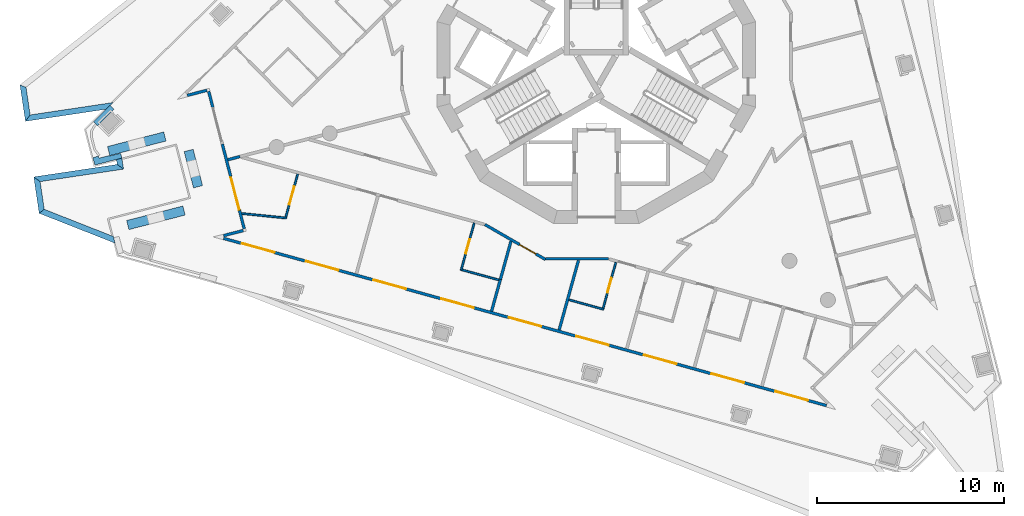
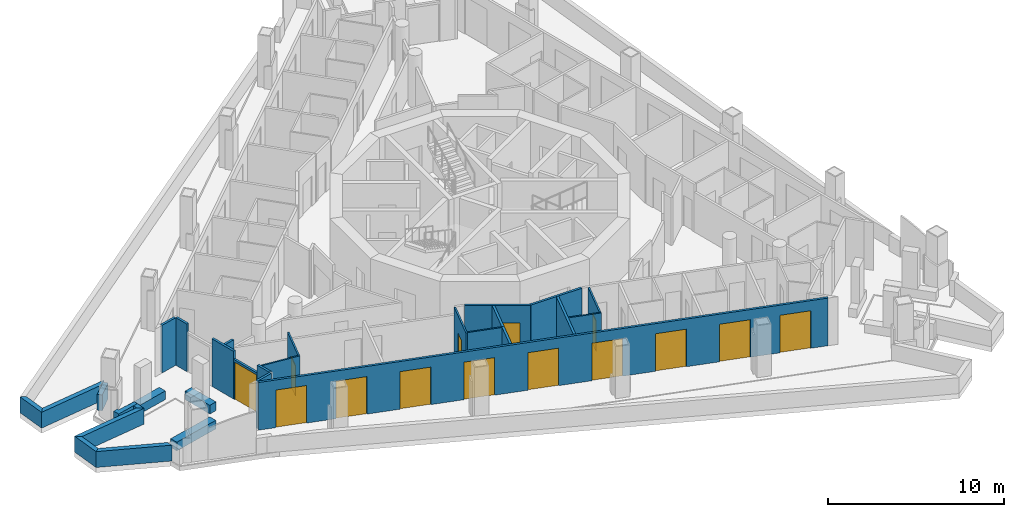
# One storey, part 2 of 14: 30 walls, 14 doors, 14 openings.
"""IFC4 building model written with IfcOpenShell, lengths in metres."""

import ifcopenshell
import ifcopenshell.guid

model = None  # the IFC model being written
_history = None  # IfcOwnerHistory: only IFC2X3 demands one
_inside = {}  # id of a spatial element -> (the spatial element, [elements in it])
_under = {}  # id of a project, library or spatial element -> (it, [spatial elements below it])
_declared = {}  # id of a project -> (the project, [libraries it declares])
_typed = {}  # id of a type object -> (the type object, [elements of that type])
_made_of = {}  # id of a material, layer set ... -> (it, [elements and type objects made of it])


def new_model(schema):
    """Start an empty IFC model of exactly this schema.

    Asked for "IFC4X3", IfcOpenShell would pick the latest addendum, in which some entities
    have other attributes; the version numbers below select the first issue.
    IFC2X3 requires an IfcOwnerHistory on every rooted entity: one is made here for all.
    """
    global model, _history
    if schema == "IFC4X3":
        model = ifcopenshell.file(schema_version=(4, 3, 0, 0))
    else:
        model = ifcopenshell.file(schema=schema)
    _inside.clear()
    _under.clear()
    _declared.clear()
    _typed.clear()
    _made_of.clear()
    _history = None
    if model.schema == "IFC2X3":
        org = make("IfcOrganization", Name="unknown")
        user = make(
            "IfcPersonAndOrganization",
            ThePerson=make("IfcPerson", FamilyName="unknown"),
            TheOrganization=org,
        )
        app = make(
            "IfcApplication",
            ApplicationDeveloper=org,
            Version="unknown",
            ApplicationFullName="unknown",
            ApplicationIdentifier="unknown",
        )
        _history = make(
            "IfcOwnerHistory",
            OwningUser=user,
            OwningApplication=app,
            ChangeAction="ADDED",
            CreationDate=0,
        )
    return model


def make(cls, **values):
    """One entity of the class cls with the attributes given. An attribute that is None is left unset."""
    return model.create_entity(
        cls, **{name: value for name, value in values.items() if value is not None}
    )


def rooted(cls, **values):
    """An entity with a GlobalId (a new one), such as an element, a storey or a relation."""
    return make(cls, GlobalId=ifcopenshell.guid.new(), OwnerHistory=_history, **values)


def si_unit(unit_type, name, prefix=None):
    """IfcSIUnit, for example si_unit("LENGTHUNIT", "METRE", prefix="MILLI")."""
    return make("IfcSIUnit", UnitType=unit_type, Prefix=prefix, Name=name)


def assignment(units):
    """IfcUnitAssignment: the units of a project."""
    return None if units is None else make("IfcUnitAssignment", Units=units)


def point(xyz):
    """IfcCartesianPoint."""
    return None if xyz is None else make("IfcCartesianPoint", Coordinates=xyz)


def direction(xyz):
    """IfcDirection."""
    return None if xyz is None else make("IfcDirection", DirectionRatios=xyz)


def frame(location, z_axis=None, x_axis=None):
    """IfcAxis2Placement3D, a coordinate frame: its origin and axes. An axis left out is left unset."""
    return make(
        "IfcAxis2Placement3D",
        Location=point(location),
        Axis=direction(z_axis),
        RefDirection=direction(x_axis),
    )


def frame_2d(location, x_axis=None):
    """IfcAxis2Placement2D, a coordinate frame in the plane: its origin and x axis."""
    return make(
        "IfcAxis2Placement2D", Location=point(location), RefDirection=direction(x_axis)
    )


def origin():
    """The frame at (0, 0, 0) with its axes left unset."""
    return frame((0.0, 0.0, 0.0))


def place(relative_to, where):
    """IfcLocalPlacement: puts the frame where relative to a parent placement (None: the world)."""
    return make(
        "IfcLocalPlacement", PlacementRelTo=relative_to, RelativePlacement=where
    )


def context(
    kind, dimensions, precision=None, world=None, true_north=None, identifier=None
):
    """IfcGeometricRepresentationContext, for example the 3D "Model" context."""
    return make(
        "IfcGeometricRepresentationContext",
        ContextIdentifier=identifier,
        ContextType=kind,
        CoordinateSpaceDimension=dimensions,
        Precision=precision,
        WorldCoordinateSystem=world,
        TrueNorth=true_north,
    )


def subcontext(parent, identifier, kind, view, scale=None):
    """IfcGeometricRepresentationSubContext, for example "Body" below "Model"."""
    return make(
        "IfcGeometricRepresentationSubContext",
        ContextIdentifier=identifier,
        ContextType=kind,
        ParentContext=parent,
        TargetScale=scale,
        TargetView=view,
    )


def project(units=None, contexts=None):
    """IfcProject with its units and contexts."""
    return rooted(
        "IfcProject",
        Name="project",
        RepresentationContexts=contexts,
        UnitsInContext=assignment(units),
    )


def spatial(cls, under=None, at=None, **own):
    """A site, building, storey or space (cls), placed at a placement, below another one or the project."""
    s = rooted(cls, ObjectPlacement=at, **own)
    if under is not None:
        _under.setdefault(under.id(), (under, []))[1].append(s)
    return s


def polyline(points):
    """IfcPolyline through the points."""
    return make("IfcPolyline", Points=[point(p) for p in points])


def profile(cls, at=None, kind="AREA", **sizes):
    """A parametric profile (cls). Its sizes go by their IFC names, for example OverallWidth=200.0."""
    return make(cls, ProfileType=kind, Position=at, **sizes)


def rectangle(**sizes):
    """IfcRectangleProfileDef."""
    return profile("IfcRectangleProfileDef", **sizes)


def outline(outer, holes=None, kind="AREA"):
    """IfcArbitraryClosedProfileDef: a profile drawn as a closed curve; with holes, ...WithVoids."""
    if holes is None:
        return make("IfcArbitraryClosedProfileDef", ProfileType=kind, OuterCurve=outer)
    return make(
        "IfcArbitraryProfileDefWithVoids",
        ProfileType=kind,
        OuterCurve=outer,
        InnerCurves=holes,
    )


def extrude(swept, where, along, depth):
    """IfcExtrudedAreaSolid: the profile swept, set in the frame where, extruded along a direction by depth."""
    return make(
        "IfcExtrudedAreaSolid",
        SweptArea=swept,
        Position=where,
        ExtrudedDirection=direction(along),
        Depth=depth,
    )


def shape(context_of_items, identifier, shape_type, items):
    """IfcShapeRepresentation: the items that make up one representation, for example the "Body"."""
    return make(
        "IfcShapeRepresentation",
        ContextOfItems=context_of_items,
        RepresentationIdentifier=identifier,
        RepresentationType=shape_type,
        Items=items,
    )


def material(Name=None, Category=None):
    """IfcMaterial."""
    return make("IfcMaterial", Name=Name, Category=Category)


def layer(
    of_material, thickness, ventilated=None, Name=None, Category=None, Priority=None
):
    """IfcMaterialLayer: one layer of a wall or slab, of a material (None: an air gap)."""
    return make(
        "IfcMaterialLayer",
        Material=of_material,
        LayerThickness=thickness,
        IsVentilated=ventilated,
        Name=Name,
        Category=Category,
        Priority=Priority,
    )


def layer_set(layers, Name=None):
    """IfcMaterialLayerSet."""
    return make("IfcMaterialLayerSet", MaterialLayers=layers, LayerSetName=Name)


def made_of(thing, what):
    """Note that an element or type object is made of a material, layer set ...; save() writes the relation."""
    if what is not None:
        _made_of.setdefault(what.id(), (what, []))[1].append(thing)
    return thing


def type_object(cls, material=None, **own):
    """A type object (cls), such as IfcWallType, which elements share."""
    return made_of(rooted(cls, **own), material)


def element(
    cls,
    number,
    at=None,
    inside=None,
    cuts=None,
    type_object=None,
    material=None,
    context=None,
    identifier="Body",
    shape_type=None,
    held_by="IfcProductDefinitionShape",
    body=None,
    shapes=None,
    **own,
):
    """One element of the class cls, such as IfcWall. Its Tag is "e" and its number.

    at: its placement. inside: the storey or other place that contains it. cuts: it is an
    opening in that element (IfcRelVoidsElement). A single representation is given by context,
    identifier, shape_type and body (its items); several are given by shapes. held_by: the class
    of the entity that holds the representations. save() writes the other relations.
    """
    e = rooted(cls, Tag="e%d" % number, ObjectPlacement=at, **own)
    if body is not None:
        shapes = [shape(context, identifier, shape_type, body)]
    if shapes is not None:
        e.Representation = make(held_by, Representations=shapes)
    if inside is not None:
        _inside.setdefault(inside.id(), (inside, []))[1].append(e)
    if cuts is not None:
        rooted(
            "IfcRelVoidsElement", RelatingBuildingElement=cuts, RelatedOpeningElement=e
        )
    if type_object is not None:
        _typed.setdefault(type_object.id(), (type_object, []))[1].append(e)
    return made_of(e, material)


def fill(opening, filler):
    """IfcRelFillsElement: the door or window that sits in an opening."""
    return rooted(
        "IfcRelFillsElement",
        RelatingOpeningElement=opening,
        RelatedBuildingElement=filler,
    )


def aggregate(whole, parts):
    """IfcRelAggregates: a whole, such as a stair, and the parts it consists of."""
    return rooted("IfcRelAggregates", RelatingObject=whole, RelatedObjects=parts)


def save(model, path):
    """Write the relations noted so far, then the file.

    IfcRelAggregates (storeys below a building ...), IfcRelContainedInSpatialStructure (elements
    in a storey), IfcRelDefinesByType, IfcRelAssociatesMaterial and IfcRelDeclares: one each for
    every whole, place, type object, material and project.
    """
    for whole, parts in _under.values():
        aggregate(whole, parts)
    for where, things in _inside.values():
        rooted(
            "IfcRelContainedInSpatialStructure",
            RelatedElements=things,
            RelatingStructure=where,
        )
    for kind, things in _typed.values():
        rooted("IfcRelDefinesByType", RelatedObjects=things, RelatingType=kind)
    for what, things in _made_of.values():
        rooted("IfcRelAssociatesMaterial", RelatedObjects=things, RelatingMaterial=what)
    for by, libraries in _declared.values():
        rooted("IfcRelDeclares", RelatingContext=by, RelatedDefinitions=libraries)
    model.write(path)


model = new_model("IFC4")

# Units and contexts
model_context = context("Model", 3, precision=1e-05, world=origin(), true_north=direction((0.0, 1.0)))
body_context = subcontext(model_context, "Body", "Model", "MODEL_VIEW")
ifc_project = project(units=[si_unit("LENGTHUNIT", "METRE"), si_unit("AREAUNIT", "SQUARE_METRE"), si_unit("VOLUMEUNIT", "CUBIC_METRE"), si_unit("PLANEANGLEUNIT", "RADIAN"), si_unit("MASSUNIT", "GRAM", prefix="KILO")], contexts=[model_context])

# Site, building, storey
site_placement = place(None, origin())
site = spatial("IfcSite", under=ifc_project, at=site_placement, CompositionType="ELEMENT")
building_placement = place(site_placement, origin())
building = spatial("IfcBuilding", under=site, at=building_placement, Name="Trine Commons Tower", CompositionType="ELEMENT")
storey_placement = place(building_placement, frame((0.0, 0.0, 234.89990234375)))
storey = spatial("IfcBuildingStorey", under=building, at=storey_placement, Name="L61", CompositionType="ELEMENT", Elevation=234.89990234375)

# Wall, openings, doors
ifc_material_1 = material(Name="Aluminium-framed insulated wall panel", Category="aluminium")
ifc_layer_1 = layer(ifc_material_1, 0.14990234375)
ifc_layer_set_1 = layer_set([ifc_layer_1], Name="Aluminium-framed insulated wall panel")
wall_type_1 = type_object("IfcWallType", Name="Glazed frame wall 150, EI 60", PredefinedType="SOLIDWALL", material=ifc_layer_set_1)
wall_1_placement = place(storey_placement, frame((92.4189453125, 44.2548828125, 0.0), z_axis=(0.0, 0.0, 1.0), x_axis=(-0.963630586427, 0.267237895708, 0.0)))
wall_1 = element("IfcWall", 1, at=wall_1_placement, inside=storey, type_object=wall_type_1, Name="Glazed frame wall F3", PredefinedType="SOLIDWALL", context=body_context, shape_type="SweptSolid", body=[
    extrude(outline(polyline([(0.1494140625, 0.074951171875), (0.1494140625, -0.074951171875), (33.536865234375, -0.074951171875), (33.536865234375, 0.074951171875), (0.1494140625, 0.074951171875)])), origin(), (0.0, 0.0, 1.0), 3.300048828125),
])
opening_1_placement = place(wall_1_placement, frame((1.17138671875, 0.0, 0.0)))
opening_1 = element("IfcOpeningElement", 2, at=opening_1_placement, cuts=wall_1, Name="Opening BD-7F3-01", PredefinedType="OPENING", context=body_context, shape_type="SweptSolid", body=[
    extrude(rectangle(XDim=1.800048828125, YDim=2.60009765625, at=frame_2d((0.89990234375, 1.300048828125))), frame((0.0, 0.0849609375, 0.0), z_axis=(0.0, -1.0, 0.0), x_axis=(1.0, 0.0, 0.0)), (0.0, 0.0, 1.0), 0.169921875),
])
opening_2_placement = place(wall_1_placement, frame((4.71435546875, 0.0, 0.0)))
opening_2 = element("IfcOpeningElement", 3, at=opening_2_placement, cuts=wall_1, Name="Opening BD-7F3-02", PredefinedType="OPENING", context=body_context, shape_type="SweptSolid", body=[
    extrude(rectangle(XDim=1.800048828125, YDim=2.60009765625, at=frame_2d((0.89990234375, 1.300048828125))), frame((0.0, 0.0849609375, 0.0), z_axis=(0.0, -1.0, 0.0), x_axis=(1.0, 0.0, 0.0)), (0.0, 0.0, 1.0), 0.169921875),
])
opening_3_placement = place(wall_1_placement, frame((8.457275390625, 0.0, 0.0)))
opening_3 = element("IfcOpeningElement", 4, at=opening_3_placement, cuts=wall_1, Name="Opening BD-7F3-03", PredefinedType="OPENING", context=body_context, shape_type="SweptSolid", body=[
    extrude(rectangle(XDim=1.800048828125, YDim=2.60009765625, at=frame_2d((0.89990234375, 1.300048828125))), frame((0.0, 0.0849609375, 0.0), z_axis=(0.0, -1.0, 0.0), x_axis=(1.0, 0.0, 0.0)), (0.0, 0.0, 1.0), 0.169921875),
])
opening_4_placement = place(wall_1_placement, frame((12.2001953125, 0.0, 0.0)))
opening_4 = element("IfcOpeningElement", 5, at=opening_4_placement, cuts=wall_1, Name="Opening BD-7F3-04", PredefinedType="OPENING", context=body_context, shape_type="SweptSolid", body=[
    extrude(rectangle(XDim=1.800048828125, YDim=2.60009765625, at=frame_2d((0.89990234375, 1.300048828125))), frame((0.0, 0.0849609375, 0.0), z_axis=(0.0, -1.0, 0.0), x_axis=(1.0, 0.0, 0.0)), (0.0, 0.0, 1.0), 0.169921875),
])
opening_5_placement = place(wall_1_placement, frame((15.943115234375, 0.0, 0.0)))
opening_5 = element("IfcOpeningElement", 6, at=opening_5_placement, cuts=wall_1, Name="Opening BD-7F3-05", PredefinedType="OPENING", context=body_context, shape_type="SweptSolid", body=[
    extrude(rectangle(XDim=1.800048828125, YDim=2.60009765625, at=frame_2d((0.89990234375, 1.300048828125))), frame((0.0, 0.0849609375, 0.0), z_axis=(0.0, -1.0, 0.0), x_axis=(1.0, 0.0, 0.0)), (0.0, 0.0, 1.0), 0.169921875),
])
opening_6_placement = place(wall_1_placement, frame((19.68603515625, 0.0, 0.0)))
opening_6 = element("IfcOpeningElement", 7, at=opening_6_placement, cuts=wall_1, Name="Opening BD-7F3-06", PredefinedType="OPENING", context=body_context, shape_type="SweptSolid", body=[
    extrude(rectangle(XDim=1.800048828125, YDim=2.60009765625, at=frame_2d((0.89990234375, 1.300048828125))), frame((0.0, 0.0849609375, 0.0), z_axis=(0.0, -1.0, 0.0), x_axis=(1.0, 0.0, 0.0)), (0.0, 0.0, 1.0), 0.169921875),
])
opening_7_placement = place(wall_1_placement, frame((23.428955078125, 0.0, 0.0)))
opening_7 = element("IfcOpeningElement", 8, at=opening_7_placement, cuts=wall_1, Name="Opening BD-7F3-07", PredefinedType="OPENING", context=body_context, shape_type="SweptSolid", body=[
    extrude(rectangle(XDim=1.800048828125, YDim=2.60009765625, at=frame_2d((0.89990234375, 1.300048828125))), frame((0.0, 0.0849609375, 0.0), z_axis=(0.0, -1.0, 0.0), x_axis=(1.0, 0.0, 0.0)), (0.0, 0.0, 1.0), 0.169921875),
])
opening_8_placement = place(wall_1_placement, frame((27.171875, 0.0, 0.0)))
opening_8 = element("IfcOpeningElement", 9, at=opening_8_placement, cuts=wall_1, Name="Opening BD-7F3-08", PredefinedType="OPENING", context=body_context, shape_type="SweptSolid", body=[
    extrude(rectangle(XDim=1.800048828125, YDim=2.60009765625, at=frame_2d((0.89990234375, 1.300048828125))), frame((0.0, 0.0849609375, 0.0), z_axis=(0.0, -1.0, 0.0), x_axis=(1.0, 0.0, 0.0)), (0.0, 0.0, 1.0), 0.169921875),
])
opening_9_placement = place(wall_1_placement, frame((30.714599609375, 0.0, 0.0)))
opening_9 = element("IfcOpeningElement", 10, at=opening_9_placement, cuts=wall_1, Name="Opening BD-7F3-09", PredefinedType="OPENING", context=body_context, shape_type="SweptSolid", body=[
    extrude(rectangle(XDim=1.800048828125, YDim=2.60009765625, at=frame_2d((0.89990234375, 1.300048828125))), frame((0.0, 0.0849609375, 0.0), z_axis=(0.0, -1.0, 0.0), x_axis=(1.0, 0.0, 0.0)), (0.0, 0.0, 1.0), 0.169921875),
])
ifc_material_2 = material(Name="Anodised aluminium frame with double glazing", Category="aluminium")
door_type_1 = type_object("IfcDoorType", Name="Sliding loggia door 1800x2600", OperationType="SLIDING_TO_LEFT", PredefinedType="DOOR", material=ifc_material_2)
door_1_placement = place(opening_1_placement, origin())
door_1 = element("IfcDoor", 11, at=door_1_placement, inside=storey, type_object=door_type_1, Name="Loggia door F3 1", OperationType="SLIDING_TO_LEFT", OverallHeight=2.60009765625, OverallWidth=1.800048828125, PredefinedType="DOOR", context=body_context, shape_type="SweptSolid", body=[
    extrude(rectangle(XDim=1.800048828125, YDim=2.60009765625, at=frame_2d((0.89990234375, 1.300048828125))), frame((0.0, 0.02490234375, 0.0), z_axis=(0.0, -1.0, 0.0), x_axis=(1.0, 0.0, 0.0)), (0.0, 0.0, 1.0), 0.050048828125),
])
fill(opening_1, door_1)
door_2_placement = place(opening_2_placement, origin())
door_2 = element("IfcDoor", 12, at=door_2_placement, inside=storey, type_object=door_type_1, Name="Loggia door F3 2", OperationType="SLIDING_TO_LEFT", OverallHeight=2.60009765625, OverallWidth=1.800048828125, PredefinedType="DOOR", context=body_context, shape_type="SweptSolid", body=[
    extrude(rectangle(XDim=1.800048828125, YDim=2.60009765625, at=frame_2d((0.89990234375, 1.300048828125))), frame((0.0, 0.02490234375, 0.0), z_axis=(0.0, -1.0, 0.0), x_axis=(1.0, 0.0, 0.0)), (0.0, 0.0, 1.0), 0.050048828125),
])
fill(opening_2, door_2)
door_3_placement = place(opening_3_placement, origin())
door_3 = element("IfcDoor", 13, at=door_3_placement, inside=storey, type_object=door_type_1, Name="Loggia door F3 3", OperationType="SLIDING_TO_LEFT", OverallHeight=2.60009765625, OverallWidth=1.800048828125, PredefinedType="DOOR", context=body_context, shape_type="SweptSolid", body=[
    extrude(rectangle(XDim=1.800048828125, YDim=2.60009765625, at=frame_2d((0.89990234375, 1.300048828125))), frame((0.0, 0.02490234375, 0.0), z_axis=(0.0, -1.0, 0.0), x_axis=(1.0, 0.0, 0.0)), (0.0, 0.0, 1.0), 0.050048828125),
])
fill(opening_3, door_3)
door_4_placement = place(opening_4_placement, origin())
door_4 = element("IfcDoor", 14, at=door_4_placement, inside=storey, type_object=door_type_1, Name="Loggia door F3 4", OperationType="SLIDING_TO_LEFT", OverallHeight=2.60009765625, OverallWidth=1.800048828125, PredefinedType="DOOR", context=body_context, shape_type="SweptSolid", body=[
    extrude(rectangle(XDim=1.800048828125, YDim=2.60009765625, at=frame_2d((0.89990234375, 1.300048828125))), frame((0.0, 0.02490234375, 0.0), z_axis=(0.0, -1.0, 0.0), x_axis=(1.0, 0.0, 0.0)), (0.0, 0.0, 1.0), 0.050048828125),
])
fill(opening_4, door_4)
door_5_placement = place(opening_5_placement, origin())
door_5 = element("IfcDoor", 15, at=door_5_placement, inside=storey, type_object=door_type_1, Name="Loggia door F3 5", OperationType="SLIDING_TO_LEFT", OverallHeight=2.60009765625, OverallWidth=1.800048828125, PredefinedType="DOOR", context=body_context, shape_type="SweptSolid", body=[
    extrude(rectangle(XDim=1.800048828125, YDim=2.60009765625, at=frame_2d((0.89990234375, 1.300048828125))), frame((0.0, 0.02490234375, 0.0), z_axis=(0.0, -1.0, 0.0), x_axis=(1.0, 0.0, 0.0)), (0.0, 0.0, 1.0), 0.050048828125),
])
fill(opening_5, door_5)
door_6_placement = place(opening_6_placement, origin())
door_6 = element("IfcDoor", 16, at=door_6_placement, inside=storey, type_object=door_type_1, Name="Loggia door F3 6", OperationType="SLIDING_TO_LEFT", OverallHeight=2.60009765625, OverallWidth=1.800048828125, PredefinedType="DOOR", context=body_context, shape_type="SweptSolid", body=[
    extrude(rectangle(XDim=1.800048828125, YDim=2.60009765625, at=frame_2d((0.89990234375, 1.300048828125))), frame((0.0, 0.02490234375, 0.0), z_axis=(0.0, -1.0, 0.0), x_axis=(1.0, 0.0, 0.0)), (0.0, 0.0, 1.0), 0.050048828125),
])
fill(opening_6, door_6)
door_7_placement = place(opening_7_placement, origin())
door_7 = element("IfcDoor", 17, at=door_7_placement, inside=storey, type_object=door_type_1, Name="Loggia door F3 7", OperationType="SLIDING_TO_LEFT", OverallHeight=2.60009765625, OverallWidth=1.800048828125, PredefinedType="DOOR", context=body_context, shape_type="SweptSolid", body=[
    extrude(rectangle(XDim=1.800048828125, YDim=2.60009765625, at=frame_2d((0.89990234375, 1.300048828125))), frame((0.0, 0.02490234375, 0.0), z_axis=(0.0, -1.0, 0.0), x_axis=(1.0, 0.0, 0.0)), (0.0, 0.0, 1.0), 0.050048828125),
])
fill(opening_7, door_7)
door_8_placement = place(opening_8_placement, origin())
door_8 = element("IfcDoor", 18, at=door_8_placement, inside=storey, type_object=door_type_1, Name="Loggia door F3 8", OperationType="SLIDING_TO_LEFT", OverallHeight=2.60009765625, OverallWidth=1.800048828125, PredefinedType="DOOR", context=body_context, shape_type="SweptSolid", body=[
    extrude(rectangle(XDim=1.800048828125, YDim=2.60009765625, at=frame_2d((0.89990234375, 1.300048828125))), frame((0.0, 0.02490234375, 0.0), z_axis=(0.0, -1.0, 0.0), x_axis=(1.0, 0.0, 0.0)), (0.0, 0.0, 1.0), 0.050048828125),
])
fill(opening_8, door_8)
door_9_placement = place(opening_9_placement, origin())
door_9 = element("IfcDoor", 19, at=door_9_placement, inside=storey, type_object=door_type_1, Name="Loggia door F3 9", OperationType="SLIDING_TO_LEFT", OverallHeight=2.60009765625, OverallWidth=1.800048828125, PredefinedType="DOOR", context=body_context, shape_type="SweptSolid", body=[
    extrude(rectangle(XDim=1.800048828125, YDim=2.60009765625, at=frame_2d((0.89990234375, 1.300048828125))), frame((0.0, 0.02490234375, 0.0), z_axis=(0.0, -1.0, 0.0), x_axis=(1.0, 0.0, 0.0)), (0.0, 0.0, 1.0), 0.050048828125),
])
fill(opening_9, door_9)

# Walls
wall_2_placement = place(storey_placement, frame((59.95849609375, 53.32470703125, 0.0), z_axis=(0.0, 0.0, 1.0), x_axis=(0.968124150503, 0.250470815091, 0.0)))
element("IfcWall", 20, at=wall_2_placement, inside=storey, type_object=wall_type_1, Name="Glazed frame wall R10", PredefinedType="SOLIDWALL", context=body_context, shape_type="SweptSolid", body=[
    extrude(outline(polyline([(0.1494140625, 0.074951171875), (0.1494140625, -0.074951171875), (1.235107421875, -0.074951171875), (1.235107421875, 0.074951171875), (0.1494140625, 0.074951171875)])), origin(), (0.0, 0.0, 1.0), 3.300048828125),
])
wall_3_placement = place(storey_placement, frame((61.235595703125, 53.618896484375, 0.0), z_axis=(0.0, 0.0, 1.0), x_axis=(-0.250361300835, 0.968152477167, 0.0)))
element("IfcWall", 21, at=wall_3_placement, inside=storey, type_object=wall_type_1, Name="Glazed frame wall P3.1", PredefinedType="SOLIDWALL", context=body_context, shape_type="SweptSolid", body=[
    extrude(outline(polyline([(0.110107421875, -0.074951171875), (1.10009765625, -0.074951171875), (1.10009765625, 0.074951171875), (0.110107421875, 0.074951171875), (0.110107421875, -0.074951171875)])), origin(), (0.0, 0.0, 1.0), 3.300048828125),
])

# Wall, opening, door
wall_4_placement = place(storey_placement, frame((60.960205078125, 54.683837890625, 0.0), z_axis=(0.0, 0.0, 1.0), x_axis=(-0.250450586115, 0.968129383871, 0.0)))
wall_4 = element("IfcWall", 22, at=wall_4_placement, inside=storey, type_object=wall_type_1, Name="Glazed frame wall P3.2", PredefinedType="SOLIDWALL", context=body_context, shape_type="SweptSolid", body=[
    extrude(outline(polyline([(0.0, -0.074951171875), (1.92138671875, -0.074951171875), (1.92138671875, 0.074951171875), (0.0, 0.074951171875), (0.0, -0.074951171875)])), origin(), (0.0, 0.0, 1.0), 2.75),
])
opening_10_placement = place(wall_4_placement, frame((0.050048828125, 0.0, 0.0)))
opening_10 = element("IfcOpeningElement", 23, at=opening_10_placement, cuts=wall_4, Name="Opening BD-7P3-01", PredefinedType="OPENING", context=body_context, shape_type="SweptSolid", body=[
    extrude(rectangle(XDim=1.800048828125, YDim=2.60009765625, at=frame_2d((0.89990234375, 1.300048828125))), frame((0.0, 0.0849609375, 0.0), z_axis=(0.0, -1.0, 0.0), x_axis=(1.0, 0.0, 0.0)), (0.0, 0.0, 1.0), 0.169921875),
])
door_10_placement = place(opening_10_placement, origin())
door_10 = element("IfcDoor", 24, at=door_10_placement, inside=storey, type_object=door_type_1, Name="Loggia door P3 1", OperationType="SLIDING_TO_LEFT", OverallHeight=2.60009765625, OverallWidth=1.800048828125, PredefinedType="DOOR", context=body_context, shape_type="SweptSolid", body=[
    extrude(rectangle(XDim=1.800048828125, YDim=2.60009765625, at=frame_2d((0.89990234375, 1.300048828125))), frame((0.0, 0.02490234375, 0.0), z_axis=(0.0, -1.0, 0.0), x_axis=(1.0, 0.0, 0.0)), (0.0, 0.0, 1.0), 0.050048828125),
])
fill(opening_10, door_10)

# Walls
wall_5_placement = place(storey_placement, frame((60.47900390625, 56.5439453125, 0.0), z_axis=(0.0, 0.0, 1.0), x_axis=(-0.250373840462, 0.968149234371, 0.0)))
element("IfcWall", 25, at=wall_5_placement, inside=storey, type_object=wall_type_1, Name="Glazed frame wall P3.3", PredefinedType="SOLIDWALL", context=body_context, shape_type="SweptSolid", body=[
    extrude(outline(polyline([(0.0, -0.074951171875), (1.757080078125, -0.074951171875), (1.757080078125, 0.074951171875), (0.0, 0.074951171875), (0.0, -0.074951171875)])), origin(), (0.0, 0.0, 1.0), 3.300048828125),
])
wall_6_placement = place(storey_placement, frame((59.532958984375, 60.202392578125, 0.0), z_axis=(0.0, 0.0, 1.0), x_axis=(-0.250284169086, 0.968172419926, 0.0)))
element("IfcWall", 26, at=wall_6_placement, inside=storey, type_object=wall_type_1, Name="Glazed frame wall P3.5", PredefinedType="SOLIDWALL", context=body_context, shape_type="SweptSolid", body=[
    extrude(outline(polyline([(0.889892578125, 0.074951171875), (0.0, 0.074951171875), (0.0, -0.074951171875), (0.889892578125, -0.074951171875), (0.889892578125, 0.074951171875)])), origin(), (0.0, 0.0, 1.0), 3.300048828125),
])
wall_7_placement = place(storey_placement, frame((59.3251953125, 61.145263671875, 0.0), z_axis=(0.0, 0.0, 1.0), x_axis=(-0.968156774456, -0.250344682538, 0.0)))
element("IfcWall", 27, at=wall_7_placement, inside=storey, type_object=wall_type_1, Name="Glazed frame wall R12", PredefinedType="SOLIDWALL", context=body_context, shape_type="SweptSolid", body=[
    extrude(outline(polyline([(0.110107421875, 0.074951171875), (0.110107421875, -0.074951171875), (1.19580078125, -0.074951171875), (1.19580078125, 0.074951171875), (0.110107421875, 0.074951171875)])), origin(), (0.0, 0.0, 1.0), 3.300048828125),
])
ifc_material_3 = material(Name="Planter trough, precast concrete C40/50", Category="concrete")
ifc_layer_2 = layer(ifc_material_3, 0.5)
ifc_layer_set_2 = layer_set([ifc_layer_2], Name="Planter trough, precast concrete C40/50")
wall_type_2 = type_object("IfcWallType", Name="Planter trough 500x600", PredefinedType="PARAPET", material=ifc_layer_set_2)
wall_8_placement = place(storey_placement, frame((54.994873046875, 53.92626953125, 0.0), z_axis=(0.0, 0.0, 1.0), x_axis=(0.968151190511, 0.250366276306, 0.0)))
element("IfcWall", 28, at=wall_8_placement, inside=storey, type_object=wall_type_2, Name="Planter 1", PredefinedType="PARAPET", context=body_context, shape_type="SweptSolid", body=[
    extrude(rectangle(XDim=3.099853515625, YDim=0.5, at=frame_2d((1.5498046875, 0.0))), origin(), (0.0, 0.0, 1.0), 0.60009765625),
])
wall_9_placement = place(storey_placement, frame((58.74267578125, 55.969482421875, 0.0), z_axis=(0.0, 0.0, 1.0), x_axis=(-0.250483427189, 0.968120887443, 0.0)))
element("IfcWall", 29, at=wall_9_placement, inside=storey, type_object=wall_type_2, Name="Planter 2", PredefinedType="PARAPET", context=body_context, shape_type="SweptSolid", body=[
    extrude(rectangle(XDim=2.0, YDim=0.5, at=frame_2d((1.0, 0.0))), origin(), (0.0, 0.0, 1.0), 0.60009765625),
])
wall_10_placement = place(storey_placement, frame((56.974609375, 58.65234375, 0.0), z_axis=(0.0, 0.0, 1.0), x_axis=(-0.968151190511, -0.250366276306, 0.0)))
element("IfcWall", 30, at=wall_10_placement, inside=storey, type_object=wall_type_2, Name="Planter 3", PredefinedType="PARAPET", context=body_context, shape_type="SweptSolid", body=[
    extrude(rectangle(XDim=3.099853515625, YDim=0.5, at=frame_2d((1.5498046875, 0.0))), origin(), (0.0, 0.0, 1.0), 0.60009765625),
])
ifc_material_4 = material(Name="Limestone, honed", Category="masonry")
ifc_layer_3 = layer(ifc_material_4, 0.300048828125)
ifc_layer_set_3 = layer_set([ifc_layer_3], Name="Limestone, honed")
wall_type_3 = type_object("IfcWallType", Name="Stone parapet 300", PredefinedType="PARAPET", material=ifc_layer_set_3)
wall_11_placement = place(storey_placement, origin())
element("IfcWall", 31, at=wall_11_placement, inside=storey, type_object=wall_type_3, Name="Sliver roof parapet L60 1.1", PredefinedType="PARAPET", context=body_context, shape_type="SweptSolid", body=[
    extrude(outline(polyline([(54.3876953125, 57.425537109375), (54.42724609375, 57.16162109375), (54.768310546875, 56.9091796875), (54.6796875, 57.501220703125), (54.3876953125, 57.425537109375)])), origin(), (0.0, 0.0, 1.0), 1.10009765625),
])
wall_12_placement = place(storey_placement, origin())
element("IfcWall", 32, at=wall_12_placement, inside=storey, type_object=wall_type_3, Name="Sliver roof parapet L60 1.2", PredefinedType="PARAPET", context=body_context, shape_type="SweptSolid", body=[
    extrude(outline(polyline([(54.42724609375, 57.16162109375), (49.976806640625, 56.496337890625), (50.317626953125, 56.243896484375), (54.768310546875, 56.9091796875), (54.42724609375, 57.16162109375)])), origin(), (0.0, 0.0, 1.0), 1.10009765625),
])
wall_13_placement = place(storey_placement, origin())
element("IfcWall", 33, at=wall_13_placement, inside=storey, type_object=wall_type_3, Name="Sliver roof parapet L60 1.3", PredefinedType="PARAPET", context=body_context, shape_type="SweptSolid", body=[
    extrude(outline(polyline([(49.976806640625, 56.496337890625), (50.26708984375, 54.5537109375), (50.5380859375, 54.769287109375), (50.317626953125, 56.243896484375), (49.976806640625, 56.496337890625)])), origin(), (0.0, 0.0, 1.0), 1.10009765625),
])
wall_14_placement = place(storey_placement, origin())
element("IfcWall", 34, at=wall_14_placement, inside=storey, type_object=wall_type_3, Name="Sliver roof parapet L60 1.4", PredefinedType="PARAPET", context=body_context, shape_type="SweptSolid", body=[
    extrude(outline(polyline([(50.26708984375, 54.5537109375), (54.3154296875, 52.958984375), (54.222412109375, 53.318115234375), (50.5380859375, 54.769287109375), (50.26708984375, 54.5537109375)])), origin(), (0.0, 0.0, 1.0), 1.10009765625),
])
wall_15_placement = place(storey_placement, origin())
element("IfcWall", 35, at=wall_15_placement, inside=storey, type_object=wall_type_3, Name="Sliver roof parapet extension L60 1.X1", PredefinedType="PARAPET", context=body_context, shape_type="SweptSolid", body=[
    extrude(outline(polyline([(54.610595703125, 57.76220703125), (54.021484375, 57.60986328125), (54.013916015625, 57.638916015625), (53.452392578125, 57.49365234375), (53.424560546875, 57.6015625), (53.13427734375, 57.526611328125), (53.234375, 57.13916015625), (53.2744140625, 57.1376953125), (54.67822265625, 57.500732421875), (54.610595703125, 57.76220703125)])), origin(), (0.0, 0.0, 1.0), 1.10009765625),
])
wall_16_placement = place(storey_placement, origin())
element("IfcWall", 36, at=wall_16_placement, inside=storey, type_object=wall_type_3, Name="Sliver roof parapet L60 2.2", PredefinedType="PARAPET", context=body_context, shape_type="SweptSolid", body=[
    extrude(outline(polyline([(49.242919921875, 61.406005859375), (49.533203125, 59.46337890625), (49.78564453125, 59.804443359375), (49.565185546875, 61.27880859375), (49.242919921875, 61.406005859375)])), origin(), (0.0, 0.0, 1.0), 1.10009765625),
])
wall_17_placement = place(storey_placement, origin())
element("IfcWall", 37, at=wall_17_placement, inside=storey, type_object=wall_type_3, Name="Sliver roof parapet L60 2.3", PredefinedType="PARAPET", context=body_context, shape_type="SweptSolid", body=[
    extrude(outline(polyline([(49.533203125, 59.46337890625), (53.84228515625, 60.107421875), (54.206298828125, 60.465087890625), (49.78564453125, 59.804443359375), (49.533203125, 59.46337890625)])), origin(), (0.0, 0.0, 1.0), 1.10009765625),
])
wall_18_placement = place(storey_placement, origin())
element("IfcWall", 38, at=wall_18_placement, inside=storey, type_object=wall_type_3, Name="Sliver roof parapet extension L60 2.X2", PredefinedType="PARAPET", context=body_context, shape_type="SweptSolid", body=[
    extrude(outline(polyline([(54.266357421875, 60.103515625), (54.05615234375, 60.317626953125), (53.16455078125, 59.44140625), (53.375, 59.2275390625), (54.266357421875, 60.103515625)])), origin(), (0.0, 0.0, 1.0), 1.10009765625),
])
ifc_material_5 = material(Name="Gypsum plasterboard on steel stud", Category="steel")
ifc_layer_4 = layer(ifc_material_5, 0.14990234375)
ifc_layer_set_4 = layer_set([ifc_layer_4], Name="Gypsum plasterboard on steel stud")
wall_type_4 = type_object("IfcWallType", Name="Unit and corridor wall 150 mm, EI 60", PredefinedType="PARTITIONING", material=ifc_layer_set_4)
wall_19_placement = place(storey_placement, frame((60.331787109375, 57.4130859375, 0.0), z_axis=(0.0, 0.0, 1.0), x_axis=(0.968209183311, 0.250141914426, 0.0)))
element("IfcWall", 39, at=wall_19_placement, inside=storey, type_object=wall_type_4, Name="Partition 001", PredefinedType="PARTITIONING", context=body_context, shape_type="SweptSolid", body=[
    extrude(rectangle(XDim=0.67138671875, YDim=0.14990234375, at=frame_2d((0.335693359375, 0.0))), origin(), (0.0, 0.0, 1.0), 3.300048828125),
])

# Wall, opening, door
wall_20_placement = place(storey_placement, frame((74.049072265625, 53.9560546875, 0.0), z_axis=(0.0, 0.0, 1.0), x_axis=(0.865974487503, -0.500088179218, 0.0)))
wall_20 = element("IfcWall", 40, at=wall_20_placement, inside=storey, type_object=wall_type_4, Name="Partition 037", PredefinedType="PARTITIONING", context=body_context, shape_type="SweptSolid", body=[
    extrude(rectangle(XDim=3.736572265625, YDim=0.14990234375, at=frame_2d((1.8681640625, 0.0))), origin(), (0.0, 0.0, 1.0), 3.300048828125),
])
opening_11_placement = place(wall_20_placement, frame((2.146728515625, 0.0, 0.0)))
opening_11 = element("IfcOpeningElement", 41, at=opening_11_placement, cuts=wall_20, Name="Opening D-7A23", PredefinedType="OPENING", context=body_context, shape_type="SweptSolid", body=[
    extrude(rectangle(XDim=1.0, YDim=2.10009765625, at=frame_2d((0.5, 1.050048828125))), frame((0.0, 0.0849609375, 0.0), z_axis=(0.0, -1.0, 0.0), x_axis=(1.0, 0.0, 0.0)), (0.0, 0.0, 1.0), 0.169921875),
])
ifc_material_6 = material(Name="Painted timber", Category="wood")
door_type_2 = type_object("IfcDoorType", Name="Amenity room door 1000 x 2100, NOT RATED", OperationType="NOTDEFINED", PredefinedType="DOOR", material=ifc_material_6)
door_11_placement = place(opening_11_placement, frame((1.0, 0.0, 0.0), z_axis=(0.0, 0.0, 1.0), x_axis=(-1.0, 0.0, 0.0)))
door_11 = element("IfcDoor", 42, at=door_11_placement, inside=storey, type_object=door_type_2, Name="Door D-7A23", OperationType="SINGLE_SWING_LEFT", OverallHeight=2.10009765625, OverallWidth=1.0, PredefinedType="DOOR", context=body_context, shape_type="SweptSolid", body=[
    extrude(rectangle(XDim=1.0, YDim=2.10009765625, at=frame_2d((0.5, 1.050048828125))), frame((0.0, 0.02490234375, 0.0), z_axis=(0.0, -1.0, 0.0), x_axis=(1.0, 0.0, 0.0)), (0.0, 0.0, 1.0), 0.050048828125),
])
fill(opening_11, door_11)

# Walls
wall_21_placement = place(storey_placement, frame((74.40478515625, 49.32861328125, 0.0), z_axis=(0.0, 0.0, 1.0), x_axis=(0.267401148385, 0.963585297648, 0.0)))
element("IfcWall", 43, at=wall_21_placement, inside=storey, type_object=wall_type_4, Name="Partition 041", PredefinedType="PARTITIONING", context=body_context, shape_type="SweptSolid", body=[
    extrude(rectangle(XDim=1.763916015625, YDim=0.14990234375, at=frame_2d((0.8818359375, 0.0))), origin(), (0.0, 0.0, 1.0), 3.300048828125),
])
wall_22_placement = place(storey_placement, frame((74.861083984375, 50.971923828125, 0.0), z_axis=(0.0, 0.0, 1.0), x_axis=(0.267076384881, 0.963675362681, 0.0)))
element("IfcWall", 44, at=wall_22_placement, inside=storey, type_object=wall_type_4, Name="Partition 042", PredefinedType="PARTITIONING", context=body_context, shape_type="SweptSolid", body=[
    extrude(rectangle(XDim=2.1748046875, YDim=0.14990234375, at=frame_2d((1.08740234375, 0.0))), origin(), (0.0, 0.0, 1.0), 3.300048828125),
])
wall_23_placement = place(storey_placement, frame((77.294921875, 52.125, 0.0), z_axis=(0.0, 0.0, 1.0), x_axis=(1.0, 0.0, 0.0)))
element("IfcWall", 45, at=wall_23_placement, inside=storey, type_object=wall_type_4, Name="Partition 046", PredefinedType="PARTITIONING", context=body_context, shape_type="SweptSolid", body=[
    extrude(rectangle(XDim=3.35595703125, YDim=0.14990234375, at=frame_2d((1.677978515625, 0.0))), origin(), (0.0, 0.0, 1.0), 3.300048828125),
])
wall_24_placement = place(storey_placement, frame((78.01171875, 48.32861328125, 0.0), z_axis=(0.0, 0.0, 1.0), x_axis=(0.267337590954, 0.963602932988, 0.0)))
element("IfcWall", 46, at=wall_24_placement, inside=storey, type_object=wall_type_4, Name="Partition 047", PredefinedType="PARTITIONING", context=body_context, shape_type="SweptSolid", body=[
    extrude(rectangle(XDim=3.86474609375, YDim=0.14990234375, at=frame_2d((1.932373046875, 0.0))), origin(), (0.0, 0.0, 1.0), 3.300048828125),
])
ifc_layer_5 = layer(ifc_material_5, 0.10009765625)
ifc_layer_set_5 = layer_set([ifc_layer_5], Name="Gypsum plasterboard on steel stud")
wall_type_5 = type_object("IfcWallType", Name="Unit partition 100 mm, no rating", PredefinedType="PARTITIONING", material=ifc_layer_set_5)
wall_25_placement = place(storey_placement, frame((61.07177734375, 54.54296875, 0.0), z_axis=(0.0, 0.0, 1.0), x_axis=(0.994963516173, -0.100237724861, 0.0)))
element("IfcWall", 47, at=wall_25_placement, inside=storey, type_object=wall_type_5, Name="Partition 005", PredefinedType="PARTITIONING", context=body_context, shape_type="SweptSolid", body=[
    extrude(rectangle(XDim=2.404052734375, YDim=0.10009765625, at=frame_2d((1.2021484375, 0.0))), origin(), (0.0, 0.0, 1.0), 3.300048828125),
])

# Wall, opening, door
wall_26_placement = place(storey_placement, frame((63.427490234375, 54.355224609375, 0.0), z_axis=(0.0, 0.0, 1.0), x_axis=(0.267177255804, 0.963647401273, 0.0)))
wall_26 = element("IfcWall", 48, at=wall_26_placement, inside=storey, type_object=wall_type_5, Name="Partition 008", PredefinedType="PARTITIONING", context=body_context, shape_type="SweptSolid", body=[
    extrude(rectangle(XDim=2.375, YDim=0.10009765625, at=frame_2d((1.1875, 0.0))), origin(), (0.0, 0.0, 1.0), 3.300048828125),
])
opening_12_placement = place(wall_26_placement, frame((0.6875, 0.0, 0.0)))
opening_12 = element("IfcOpeningElement", 49, at=opening_12_placement, cuts=wall_26, Name="Opening D-7A45", PredefinedType="OPENING", context=body_context, shape_type="SweptSolid", body=[
    extrude(rectangle(XDim=1.0, YDim=2.10009765625, at=frame_2d((0.5, 1.050048828125))), frame((0.0, 0.06005859375, 0.0), z_axis=(0.0, -1.0, 0.0), x_axis=(1.0, 0.0, 0.0)), (0.0, 0.0, 1.0), 0.1201171875),
])
door_type_3 = type_object("IfcDoorType", Name="Internal door 1000 x 2100, NOT RATED", OperationType="NOTDEFINED", PredefinedType="DOOR", material=ifc_material_6)
door_12_placement = place(opening_12_placement, frame((1.0, 0.0, 0.0), z_axis=(0.0, 0.0, 1.0), x_axis=(-1.0, 0.0, 0.0)))
door_12 = element("IfcDoor", 50, at=door_12_placement, inside=storey, type_object=door_type_3, Name="Door D-7A45", OperationType="SINGLE_SWING_LEFT", OverallHeight=2.10009765625, OverallWidth=1.0, PredefinedType="DOOR", context=body_context, shape_type="SweptSolid", body=[
    extrude(rectangle(XDim=1.0, YDim=2.10009765625, at=frame_2d((0.5, 1.050048828125))), frame((0.0, 0.02490234375, 0.0), z_axis=(0.0, -1.0, 0.0), x_axis=(1.0, 0.0, 0.0)), (0.0, 0.0, 1.0), 0.050048828125),
])
fill(opening_12, door_12)

wall_27_placement = place(storey_placement, frame((72.776611328125, 51.501708984375, 0.0), z_axis=(0.0, 0.0, 1.0), x_axis=(0.267159430854, 0.963652343175, 0.0)))
wall_27 = element("IfcWall", 51, at=wall_27_placement, inside=storey, type_object=wall_type_5, Name="Partition 033", PredefinedType="PARTITIONING", context=body_context, shape_type="SweptSolid", body=[
    extrude(rectangle(XDim=2.62548828125, YDim=0.10009765625, at=frame_2d((1.312744140625, 0.0))), origin(), (0.0, 0.0, 1.0), 3.300048828125),
])
opening_13_placement = place(wall_27_placement, frame((0.937744140625, 0.0, 0.0)))
opening_13 = element("IfcOpeningElement", 52, at=opening_13_placement, cuts=wall_27, Name="Opening D-7A44", PredefinedType="OPENING", context=body_context, shape_type="SweptSolid", body=[
    extrude(rectangle(XDim=0.800048828125, YDim=2.10009765625, at=frame_2d((0.39990234375, 1.050048828125))), frame((0.0, 0.06005859375, 0.0), z_axis=(0.0, -1.0, 0.0), x_axis=(1.0, 0.0, 0.0)), (0.0, 0.0, 1.0), 0.1201171875),
])
door_type_4 = type_object("IfcDoorType", Name="Internal door 800 x 2100, NOT RATED", OperationType="NOTDEFINED", PredefinedType="DOOR", material=ifc_material_6)
door_13_placement = place(opening_13_placement, origin())
door_13 = element("IfcDoor", 53, at=door_13_placement, inside=storey, type_object=door_type_4, Name="Door D-7A44", OperationType="SINGLE_SWING_RIGHT", OverallHeight=2.10009765625, OverallWidth=0.800048828125, PredefinedType="DOOR", context=body_context, shape_type="SweptSolid", body=[
    extrude(rectangle(XDim=0.800048828125, YDim=2.10009765625, at=frame_2d((0.39990234375, 1.050048828125))), frame((0.0, 0.02490234375, 0.0), z_axis=(0.0, -1.0, 0.0), x_axis=(1.0, 0.0, 0.0)), (0.0, 0.0, 1.0), 0.050048828125),
])
fill(opening_13, door_13)

# Walls
wall_28_placement = place(storey_placement, frame((72.838134765625, 51.53662109375, 0.0), z_axis=(0.0, 0.0, 1.0), x_axis=(0.963721434873, -0.266910089668, 0.0)))
element("IfcWall", 54, at=wall_28_placement, inside=storey, type_object=wall_type_5, Name="Partition 034", PredefinedType="PARTITIONING", context=body_context, shape_type="SweptSolid", body=[
    extrude(rectangle(XDim=2.025146484375, YDim=0.10009765625, at=frame_2d((1.0126953125, 0.0))), origin(), (0.0, 0.0, 1.0), 3.300048828125),
])
wall_29_placement = place(storey_placement, frame((78.536376953125, 49.93896484375, 0.0), z_axis=(0.0, 0.0, 1.0), x_axis=(0.963625049046, -0.267257862095, 0.0)))
element("IfcWall", 55, at=wall_29_placement, inside=storey, type_object=wall_type_5, Name="Partition 048", PredefinedType="PARTITIONING", context=body_context, shape_type="SweptSolid", body=[
    extrude(rectangle(XDim=1.9248046875, YDim=0.10009765625, at=frame_2d((0.96240234375, 0.0))), origin(), (0.0, 0.0, 1.0), 3.300048828125),
])

# Wall, opening, door
wall_30_placement = place(storey_placement, frame((80.3564453125, 49.486083984375, 0.0), z_axis=(0.0, 0.0, 1.0), x_axis=(0.267267405356, 0.963622402207, 0.0)))
wall_30 = element("IfcWall", 56, at=wall_30_placement, inside=storey, type_object=wall_type_5, Name="Partition 054", PredefinedType="PARTITIONING", context=body_context, shape_type="SweptSolid", body=[
    extrude(rectangle(XDim=2.542236328125, YDim=0.10009765625, at=frame_2d((1.27099609375, 0.0))), origin(), (0.0, 0.0, 1.0), 3.300048828125),
])
opening_14_placement = place(wall_30_placement, frame((0.87109375, 0.0, 0.0)))
opening_14 = element("IfcOpeningElement", 57, at=opening_14_placement, cuts=wall_30, Name="Opening D-7A43", PredefinedType="OPENING", context=body_context, shape_type="SweptSolid", body=[
    extrude(rectangle(XDim=0.800048828125, YDim=2.10009765625, at=frame_2d((0.39990234375, 1.050048828125))), frame((0.0, 0.06005859375, 0.0), z_axis=(0.0, -1.0, 0.0), x_axis=(1.0, 0.0, 0.0)), (0.0, 0.0, 1.0), 0.1201171875),
])
door_14_placement = place(opening_14_placement, frame((0.800048828125, 0.0, 0.0), z_axis=(0.0, 0.0, 1.0), x_axis=(-1.0, 0.0, 0.0)))
door_14 = element("IfcDoor", 58, at=door_14_placement, inside=storey, type_object=door_type_4, Name="Door D-7A43", OperationType="SINGLE_SWING_LEFT", OverallHeight=2.10009765625, OverallWidth=0.800048828125, PredefinedType="DOOR", context=body_context, shape_type="SweptSolid", body=[
    extrude(rectangle(XDim=0.800048828125, YDim=2.10009765625, at=frame_2d((0.39990234375, 1.050048828125))), frame((0.0, 0.02490234375, 0.0), z_axis=(0.0, -1.0, 0.0), x_axis=(1.0, 0.0, 0.0)), (0.0, 0.0, 1.0), 0.050048828125),
])
fill(opening_14, door_14)

save(model, "model.ifc")
